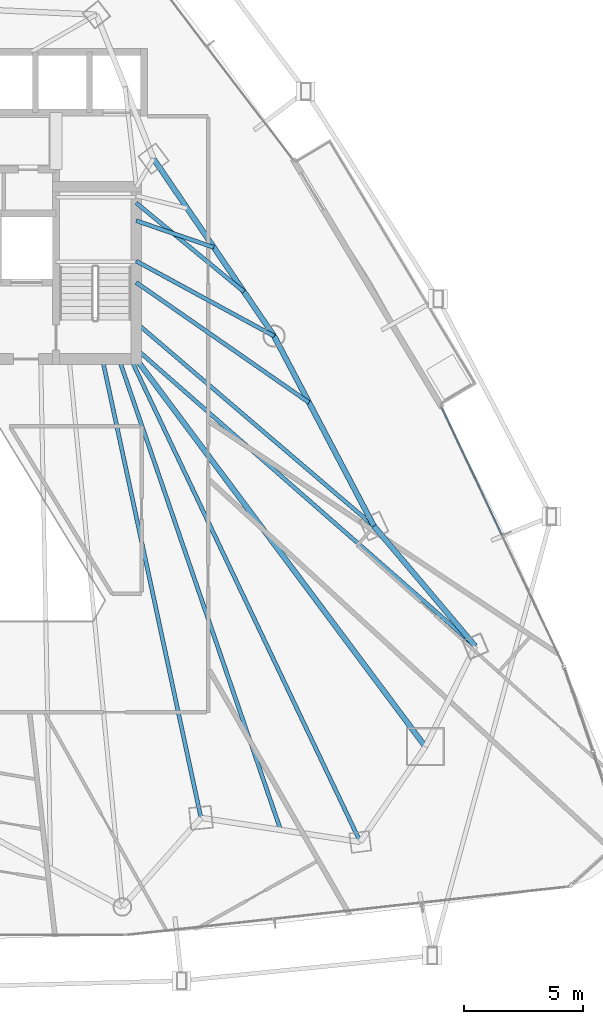
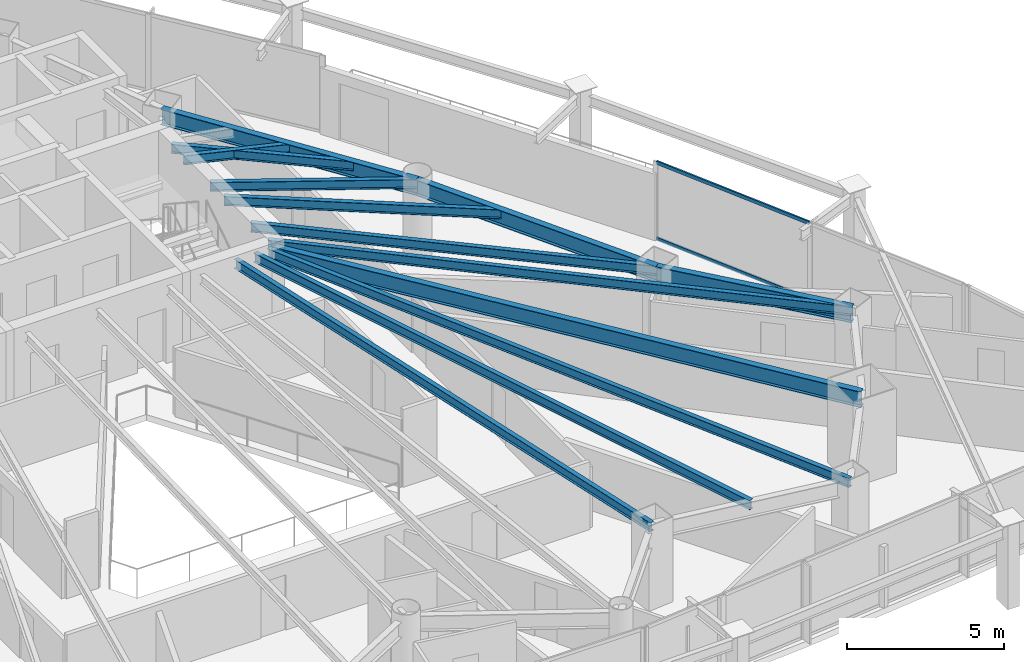
# One storey, part 16 of 33: 13 beams, 2 members, 1 element without a shape of its own.
"""IFC4 building model written with IfcOpenShell, lengths in metres."""

from ifc_helpers import new_model, si_unit, direction, frame, origin, origin_2d, place, context, subcontext, project, spatial, hollow_rectangle, i_section, extrude, material, layer, layer_set, material_profile, profile_set, type_object, element, aggregate, save


model = new_model("IFC4")

# Units and contexts
model_context = context("Model", 3, precision=1e-05, world=origin(), true_north=direction((0.0, 1.0)))
body_context = subcontext(model_context, "Body", "Model", "MODEL_VIEW")
ifc_project = project(units=[si_unit("LENGTHUNIT", "METRE"), si_unit("AREAUNIT", "SQUARE_METRE"), si_unit("VOLUMEUNIT", "CUBIC_METRE"), si_unit("PLANEANGLEUNIT", "RADIAN"), si_unit("MASSUNIT", "GRAM", prefix="KILO")], contexts=[model_context])

# Site, building, storey
site_placement = place(None, origin())
site = spatial("IfcSite", under=ifc_project, at=site_placement, CompositionType="ELEMENT")
building_placement = place(site_placement, origin())
building = spatial("IfcBuilding", under=site, at=building_placement, Name="Orvanel Arch Residences", CompositionType="ELEMENT")
storey_placement = place(building_placement, frame((0.0, 0.0, 93.949951171875)))
storey = spatial("IfcBuildingStorey", under=building, at=storey_placement, Name="L26", CompositionType="ELEMENT", Elevation=93.949951171875)

# Beams
ifc_material_1 = material(Name="Structural steel AS/NZS 3679.1 Grade 300 (300 MPa)", Category="steel")
ifc_material_profile_1 = material_profile(ifc_material_1, i_section(OverallWidth=0.22900390625, OverallDepth=0.612060546875, WebThickness=0.011962890625, FlangeThickness=0.01953125, at=origin_2d()), Name="610UB125")
ifc_profile_set_1 = profile_set([ifc_material_profile_1], Name="Structural steel AS/NZS 3679.1 Grade 300 (300 MPa)")
beam_type_1 = type_object("IfcBeamType", Name="BG-610UB", PredefinedType="BEAM", material=ifc_profile_set_1)
beam_1_placement = place(storey_placement, frame((39.625, 26.675048828125, 2.714111328125), z_axis=(0.597893733742, -0.801575375839, 0.0), x_axis=(0.801575375839, 0.597893733742, 0.0)))
element("IfcBeam", 1, at=beam_1_placement, inside=storey, type_object=beam_type_1, Name="L26 South-East Radial Girder", PredefinedType="BEAM", context=body_context, shape_type="SweptSolid", body=[
    extrude(i_section(OverallWidth=0.22900390625, OverallDepth=0.612060546875, WebThickness=0.011962890625, FlangeThickness=0.01953125, at=origin_2d()), origin(), (0.0, 0.0, 1.0), 20.36474609375),
])
ifc_material_profile_2 = material_profile(ifc_material_1, i_section(OverallWidth=0.1708984375, OverallDepth=0.35595703125, WebThickness=0.00732421875, FlangeThickness=0.011474609375, at=origin_2d()), Name="360UB50.7")
ifc_profile_set_2 = profile_set([ifc_material_profile_2], Name="Structural steel AS/NZS 3679.1 Grade 300 (300 MPa)")
beam_type_2 = type_object("IfcBeamType", Name="BJ-360UB", PredefinedType="JOIST", material=ifc_profile_set_2)
beam_2_placement = place(storey_placement, frame((39.625, 30.800048828125, 2.842041015625), z_axis=(0.878399029914, -0.477927969726, 0.0), x_axis=(0.477927969726, 0.878399029914, 0.0)))
element("IfcBeam", 2, at=beam_2_placement, inside=storey, type_object=beam_type_2, Name="L26 NE Wing Floor Joist", PredefinedType="JOIST", context=body_context, shape_type="SweptSolid", body=[
    extrude(i_section(OverallWidth=0.1708984375, OverallDepth=0.35595703125, WebThickness=0.00732421875, FlangeThickness=0.011474609375, at=origin_2d()), origin(), (0.0, 0.0, 1.0), 6.609619140625),
])
beam_3_placement = place(storey_placement, frame((39.625, 28.199951171875, 2.842041015625), z_axis=(0.760024297953, -0.649894658018, 0.0), x_axis=(0.649894658018, 0.760024297953, 0.0)))
element("IfcBeam", 3, at=beam_3_placement, inside=storey, type_object=beam_type_2, Name="L26 E Wing Floor Joist", PredefinedType="JOIST", context=body_context, shape_type="SweptSolid", body=[
    extrude(i_section(OverallWidth=0.1708984375, OverallDepth=0.35595703125, WebThickness=0.00732421875, FlangeThickness=0.011474609375, at=origin_2d()), origin(), (0.0, 0.0, 1.0), 13.16796875),
])
beam_4_placement = place(storey_placement, frame((38.199951171875, 26.675048828125, 2.842041015625), z_axis=(0.210066515515, -0.977687096703, 0.0), x_axis=(0.977687096703, 0.210066515515, 0.0)))
element("IfcBeam", 4, at=beam_4_placement, inside=storey, type_object=beam_type_2, Name="L26 SE Wing Floor Joist", PredefinedType="JOIST", context=body_context, shape_type="SweptSolid", body=[
    extrude(i_section(OverallWidth=0.1708984375, OverallDepth=0.35595703125, WebThickness=0.00732421875, FlangeThickness=0.011474609375, at=origin_2d()), origin(), (0.0, 0.0, 1.0), 19.760986328125),
])
beam_5_placement = place(storey_placement, frame((39.625, 32.5, 2.842041015625), z_axis=(0.945658073701, -0.325162740247, 0.0), x_axis=(0.325162740247, 0.945658073701, 0.0)))
element("IfcBeam", 5, at=beam_5_placement, inside=storey, type_object=beam_type_2, Name="L26 ENE Wing Floor Joist", PredefinedType="JOIST", context=body_context, shape_type="SweptSolid", body=[
    extrude(i_section(OverallWidth=0.1708984375, OverallDepth=0.35595703125, WebThickness=0.00732421875, FlangeThickness=0.011474609375, at=origin_2d()), origin(), (0.0, 0.0, 1.0), 3.453857421875),
])
beam_6_placement = place(storey_placement, frame((39.625, 27.10009765625, 2.842041015625), z_axis=(0.751924114057, -0.659249669472, 0.0), x_axis=(0.659249669472, 0.751924114057, 0.0)))
element("IfcBeam", 6, at=beam_6_placement, inside=storey, type_object=beam_type_2, Name="L26 ME Wing Floor Joist", PredefinedType="JOIST", context=body_context, shape_type="SweptSolid", body=[
    extrude(i_section(OverallWidth=0.1708984375, OverallDepth=0.35595703125, WebThickness=0.00732421875, FlangeThickness=0.011474609375, at=origin_2d()), origin(), (0.0, 0.0, 1.0), 18.9912109375),
])
beam_7_placement = place(storey_placement, frame((39.39990234375, 26.675048828125, 2.842041015625), z_axis=(0.429042657795, -0.903284228686, 0.0), x_axis=(0.903284228686, 0.429042657795, 0.0)))
element("IfcBeam", 7, at=beam_7_placement, inside=storey, type_object=beam_type_2, Name="L26 MSE Wing Floor Joist", PredefinedType="JOIST", context=body_context, shape_type="SweptSolid", body=[
    extrude(i_section(OverallWidth=0.1708984375, OverallDepth=0.35595703125, WebThickness=0.00732421875, FlangeThickness=0.011474609375, at=origin_2d()), origin(), (0.0, 0.0, 1.0), 22.513427734375),
])
beam_8_placement = place(storey_placement, frame((39.625, 33.25, 2.842041015625), z_axis=(0.771468562814, -0.636267441089, 0.0), x_axis=(0.636267441089, 0.771468562814, 0.0)))
element("IfcBeam", 8, at=beam_8_placement, inside=storey, type_object=beam_type_2, Name="L26 LE Wing Floor Joist", PredefinedType="JOIST", context=body_context, shape_type="SweptSolid", body=[
    extrude(i_section(OverallWidth=0.1708984375, OverallDepth=0.35595703125, WebThickness=0.00732421875, FlangeThickness=0.011474609375, at=origin_2d()), origin(), (0.0, 0.0, 1.0), 5.879638671875),
])
beam_9_placement = place(storey_placement, frame((39.625, 29.89990234375, 2.842041015625), z_axis=(0.821089880853, -0.570798920427, 0.0), x_axis=(0.570798920427, 0.821089880853, 0.0)))
element("IfcBeam", 9, at=beam_9_placement, inside=storey, type_object=beam_type_2, Name="L26 CTE Wing Floor Joist", PredefinedType="JOIST", context=body_context, shape_type="SweptSolid", body=[
    extrude(i_section(OverallWidth=0.1708984375, OverallDepth=0.35595703125, WebThickness=0.00732421875, FlangeThickness=0.011474609375, at=origin_2d()), origin(), (0.0, 0.0, 1.0), 8.86279296875),
])
beam_10_placement = place(storey_placement, frame((38.89990234375, 26.675048828125, 2.842041015625), z_axis=(0.324621456495, -0.945844019901, 0.0), x_axis=(0.945844019901, 0.324621456495, 0.0)))
element("IfcBeam", 10, at=beam_10_placement, inside=storey, type_object=beam_type_2, Name="L26 JADD2 Wing Floor Joist", PredefinedType="JOIST", context=body_context, shape_type="SweptSolid", body=[
    extrude(i_section(OverallWidth=0.1708984375, OverallDepth=0.35595703125, WebThickness=0.00732421875, FlangeThickness=0.011474609375, at=origin_2d()), origin(), (0.0, 0.0, 1.0), 20.96337890625),
])
ifc_material_profile_3 = material_profile(ifc_material_1, i_section(OverallWidth=0.22900390625, OverallDepth=0.612060546875, WebThickness=0.011962890625, FlangeThickness=0.01953125, at=origin_2d()), Name="610UB125")
ifc_profile_set_3 = profile_set([ifc_material_profile_3], Name="Structural steel AS/NZS 3679.1 Grade 300 (300 MPa)")
beam_type_3 = type_object("IfcBeamType", Name="SP-610UB", PredefinedType="SPANDREL", material=ifc_profile_set_3)
beam_11_placement = place(storey_placement, frame((53.905029296875, 14.580078125, 2.714111328125), z_axis=(-0.644950329775, 0.764224490659, 0.0), x_axis=(-0.764224490659, -0.644950329775, 0.0)))
element("IfcBeam", 11, at=beam_11_placement, inside=storey, type_object=beam_type_3, Name="L26 Perimeter Spandrel Beam 12", PredefinedType="SPANDREL", context=body_context, shape_type="SweptSolid", body=[
    extrude(i_section(OverallWidth=0.22900390625, OverallDepth=0.612060546875, WebThickness=0.011962890625, FlangeThickness=0.01953125, at=origin_2d()), origin(), (0.0, 0.0, 1.0), 6.623779296875),
])
beam_12_placement = place(storey_placement, frame((49.633056640625, 19.64208984375, 2.714111328125), z_axis=(-0.465064762793, 0.885276660942, 0.0), x_axis=(-0.885276660942, -0.465064762793, 0.0)))
element("IfcBeam", 12, at=beam_12_placement, inside=storey, type_object=beam_type_3, Name="L26 Perimeter Spandrel Beam 13", PredefinedType="SPANDREL", context=body_context, shape_type="SweptSolid", body=[
    extrude(i_section(OverallWidth=0.22900390625, OverallDepth=0.612060546875, WebThickness=0.011962890625, FlangeThickness=0.01953125, at=origin_2d()), origin(), (0.0, 0.0, 1.0), 9.03564453125),
])
beam_13_placement = place(storey_placement, frame((45.430908203125, 27.64111328125, 2.714111328125), z_axis=(-0.562154793153, 0.827032035978, 0.0), x_axis=(-0.827032035978, -0.562154793153, 0.0)))
element("IfcBeam", 13, at=beam_13_placement, inside=storey, type_object=beam_type_3, Name="L26 Perimeter Spandrel Beam 14", PredefinedType="SPANDREL", context=body_context, shape_type="SweptSolid", body=[
    extrude(i_section(OverallWidth=0.22900390625, OverallDepth=0.612060546875, WebThickness=0.011962890625, FlangeThickness=0.01953125, at=origin_2d()), origin(), (0.0, 0.0, 1.0), 9.03466796875),
])

# Curtain wall, members
ifc_material_2 = material(Name="Bronze-anodised aluminium AA6063-T6", Category="aluminium")
ifc_layer = layer(ifc_material_2, 0.179931640625)
ifc_layer_set = layer_set([ifc_layer], Name="Bronze-anodised aluminium AA6063-T6")
curtain_wall_type = type_object("IfcCurtainWallType", Name="CW2-LOW-SYS", PredefinedType="NOTDEFINED", material=ifc_layer_set)
curtain_wall_placement = place(storey_placement, origin())
curtain_wall = element("IfcCurtainWall", 14, at=curtain_wall_placement, inside=storey, type_object=curtain_wall_type, Name="L26 CW2-LOW-SYS Unitised Curtain Wall", PredefinedType="NOTDEFINED")
ifc_material_profile_4 = material_profile(ifc_material_2, hollow_rectangle(XDim=0.06005859375, YDim=0.135009765625, WallThickness=0.00390625, at=origin_2d()), Name="ALU135x60x4")
ifc_profile_set_4 = profile_set([ifc_material_profile_4], Name="Bronze-anodised aluminium AA6063-T6")
member_type = type_object("IfcMemberType", Name="TRN-135x60", PredefinedType="USERDEFINED", material=ifc_profile_set_4)
member_1_placement = place(storey_placement, frame((55.01953125, 19.28076171875, 0.030029296875), z_axis=(-0.427181548634, 0.904165872231, 0.0), x_axis=(-0.904165872231, -0.427181548634, 0.0)))
member_1 = element("IfcMember", 15, at=member_1_placement, type_object=member_type, Name="CW-S2 transom 2.1", ObjectType="TRANSOM", PredefinedType="USERDEFINED", context=body_context, shape_type="SweptSolid", body=[
    extrude(hollow_rectangle(XDim=0.06005859375, YDim=0.135009765625, WallThickness=0.00390625, at=origin_2d()), origin(), (0.0, 0.0, 1.0), 5.9169921875),
])
member_2_placement = place(storey_placement, frame((55.01953125, 19.28076171875, 2.989990234375), z_axis=(-0.427181548634, 0.904165872231, 0.0), x_axis=(-0.904165872231, -0.427181548634, 0.0)))
member_2 = element("IfcMember", 16, at=member_2_placement, type_object=member_type, Name="CW-S2 transom 2.2", ObjectType="TRANSOM", PredefinedType="USERDEFINED", context=body_context, shape_type="SweptSolid", body=[
    extrude(hollow_rectangle(XDim=0.06005859375, YDim=0.135009765625, WallThickness=0.00390625, at=origin_2d()), origin(), (0.0, 0.0, 1.0), 5.9169921875),
])
aggregate(curtain_wall, [member_1, member_2])

save(model, "model.ifc")
